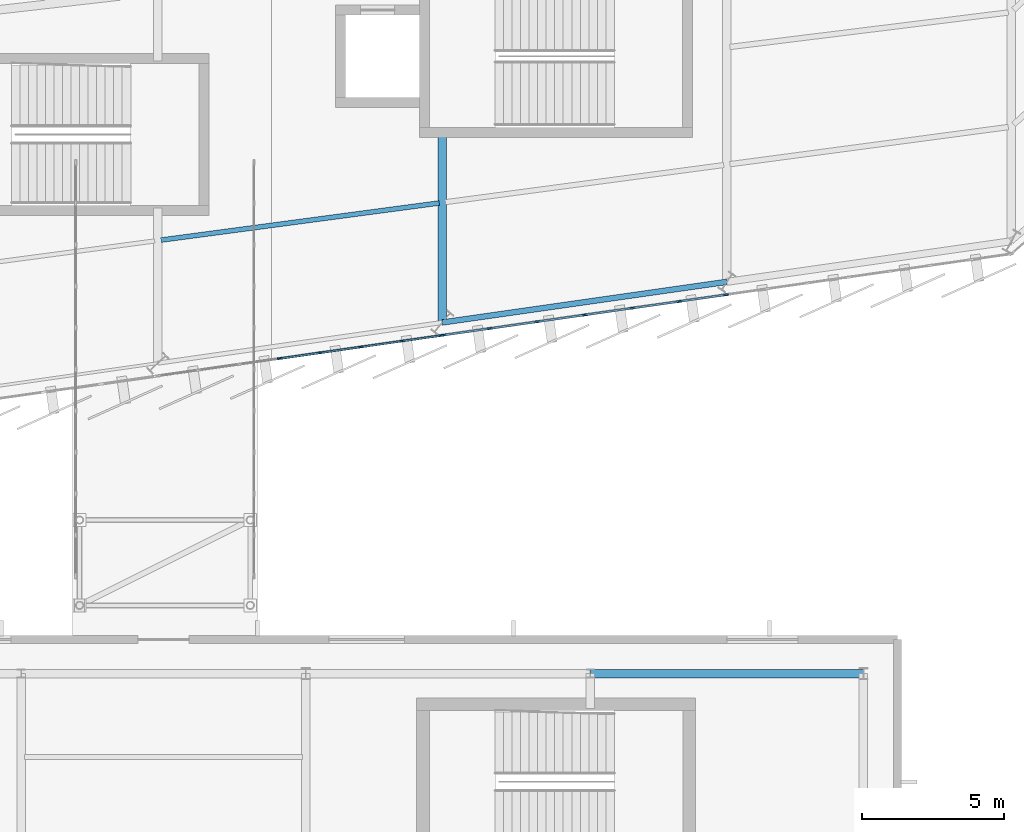
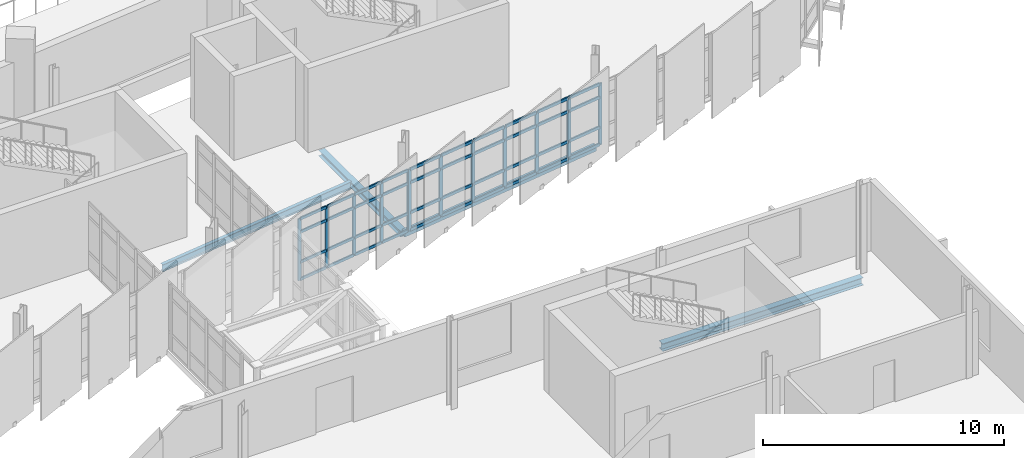
# One storey, part 63 of 125: 52 members, 4 beams, 2 elements without a shape of their own.
"""IFC4 building model written with IfcOpenShell, lengths in metres."""

from ifc_helpers import new_model, si_unit, direction, frame, origin, origin_2d, place, context, subcontext, project, spatial, rectangle, hollow_rectangle, i_section, extrude, material, layer, layer_set, material_profile, profile_set, type_object, element, aggregate, save


model = new_model("IFC4")

# Units and contexts
model_context = context("Model", 3, precision=1e-05, world=origin(), true_north=direction((0.0, 1.0)))
body_context = subcontext(model_context, "Body", "Model", "MODEL_VIEW")
ifc_project = project(units=[si_unit("LENGTHUNIT", "METRE"), si_unit("AREAUNIT", "SQUARE_METRE"), si_unit("VOLUMEUNIT", "CUBIC_METRE"), si_unit("PLANEANGLEUNIT", "RADIAN"), si_unit("MASSUNIT", "GRAM", prefix="KILO")], contexts=[model_context])

# Site, building, storey
site_placement = place(None, origin())
site = spatial("IfcSite", under=ifc_project, at=site_placement, CompositionType="ELEMENT")
building_placement = place(site_placement, origin())
building = spatial("IfcBuilding", under=site, at=building_placement, Name="Sohan Crest Arena", CompositionType="ELEMENT")
storey_placement = place(building_placement, frame((0.0, 0.0, 9.0)))
storey = spatial("IfcBuildingStorey", under=building, at=storey_placement, Name="L02", CompositionType="ELEMENT", Elevation=9.0)

# Curtain wall, members
ifc_material_1 = material(Name="Thermally broken anodised aluminium", Category="aluminium")
ifc_layer_1 = layer(ifc_material_1, 0.18994140625, Name="Thermally broken anodised aluminium")
ifc_layer_set_1 = layer_set([ifc_layer_1], Name="Thermally broken anodised aluminium")
curtain_wall_type_1 = type_object("IfcCurtainWallType", Name="ARC-CW05", PredefinedType="NOTDEFINED", material=ifc_layer_set_1)
curtain_wall_1_placement = place(storey_placement, origin())
curtain_wall_1 = element("IfcCurtainWall", 1, at=curtain_wall_1_placement, inside=storey, type_object=curtain_wall_type_1, Name="Unitised curtain wall CW-064", PredefinedType="NOTDEFINED")
ifc_material_profile_1 = material_profile(ifc_material_1, rectangle(XDim=0.06005859375, YDim=0.159912109375, at=origin_2d()), Name="ALU-MULL 60x160")
ifc_profile_set_1 = profile_set([ifc_material_profile_1], Name="Thermally broken anodised aluminium")
member_type_1 = type_object("IfcMemberType", Name="ARC-CW-ML01", PredefinedType="MULLION", material=ifc_profile_set_1)
member_1_placement = place(storey_placement, frame((142.28564453125, 35.87646484375, 0.0), z_axis=(0.0, 0.0, 1.0), x_axis=(-0.141462933734, 0.989943553128, 0.0)))
member_1 = element("IfcMember", 2, at=member_1_placement, type_object=member_type_1, Name="CW-064 mullion 4", PredefinedType="MULLION", context=body_context, shape_type="SweptSolid", body=[
    extrude(rectangle(XDim=0.06005859375, YDim=0.159912109375, at=origin_2d()), origin(), (0.0, 0.0, 1.0), 3.1201171875),
])
member_2_placement = place(storey_placement, frame((143.71435546875, 36.08056640625, 0.0), z_axis=(0.0, 0.0, 1.0), x_axis=(-0.141462933734, 0.989943553128, 0.0)))
member_2 = element("IfcMember", 3, at=member_2_placement, type_object=member_type_1, Name="CW-064 mullion 5", PredefinedType="MULLION", context=body_context, shape_type="SweptSolid", body=[
    extrude(rectangle(XDim=0.06005859375, YDim=0.159912109375, at=origin_2d()), origin(), (0.0, 0.0, 1.0), 3.1201171875),
])
member_3_placement = place(storey_placement, frame((145.142822265625, 36.28466796875, 0.0), z_axis=(0.0, 0.0, 1.0), x_axis=(-0.141462933734, 0.989943553128, 0.0)))
member_3 = element("IfcMember", 4, at=member_3_placement, type_object=member_type_1, Name="CW-064 mullion 6", PredefinedType="MULLION", context=body_context, shape_type="SweptSolid", body=[
    extrude(rectangle(XDim=0.06005859375, YDim=0.159912109375, at=origin_2d()), origin(), (0.0, 0.0, 1.0), 3.1201171875),
])
member_4_placement = place(storey_placement, frame((146.571533203125, 36.48876953125, 0.0), z_axis=(0.0, 0.0, 1.0), x_axis=(-0.141462933734, 0.989943553128, 0.0)))
member_4 = element("IfcMember", 5, at=member_4_placement, type_object=member_type_1, Name="CW-064 mullion 7", PredefinedType="MULLION", context=body_context, shape_type="SweptSolid", body=[
    extrude(rectangle(XDim=0.06005859375, YDim=0.159912109375, at=origin_2d()), origin(), (0.0, 0.0, 1.0), 3.1201171875),
])
member_5_placement = place(storey_placement, frame((147.97021484375, 36.688720703125, 0.0), z_axis=(0.0, 0.0, 1.0), x_axis=(-0.141462933734, 0.989943553128, 0.0)))
member_5 = element("IfcMember", 6, at=member_5_placement, type_object=member_type_1, Name="CW-064 mullion 8", PredefinedType="MULLION", context=body_context, shape_type="SweptSolid", body=[
    extrude(rectangle(XDim=0.06005859375, YDim=0.159912109375, at=origin_2d()), origin(), (0.0, 0.0, 1.0), 3.1201171875),
])

ifc_layer_2 = layer(ifc_material_1, 0.2099609375, Name="Thermally broken anodised aluminium")
ifc_layer_set_2 = layer_set([ifc_layer_2], Name="Thermally broken anodised aluminium")
curtain_wall_type_2 = type_object("IfcCurtainWallType", Name="ARC-CW06", PredefinedType="NOTDEFINED", material=ifc_layer_set_2)
curtain_wall_2_placement = place(storey_placement, origin())
curtain_wall_2 = element("IfcCurtainWall", 7, at=curtain_wall_2_placement, inside=storey, type_object=curtain_wall_type_2, Name="Unitised curtain wall CW-065", PredefinedType="NOTDEFINED")
ifc_material_profile_2 = material_profile(ifc_material_1, rectangle(XDim=0.06494140625, YDim=0.179931640625, at=origin_2d()), Name="ALU-MULL 65x180")
ifc_profile_set_2 = profile_set([ifc_material_profile_2], Name="Thermally broken anodised aluminium")
member_type_2 = type_object("IfcMemberType", Name="ARC-CW-ML02", PredefinedType="MULLION", material=ifc_profile_set_2)
member_6_placement = place(storey_placement, frame((148.0322265625, 36.697509765625, 0.0), z_axis=(0.0, 0.0, 1.0), x_axis=(-0.141365918403, 0.989957411768, 0.0)))
member_6 = element("IfcMember", 8, at=member_6_placement, type_object=member_type_2, Name="CW-065 mullion 1", PredefinedType="MULLION", context=body_context, shape_type="SweptSolid", body=[
    extrude(rectangle(XDim=0.06494140625, YDim=0.179931640625, at=origin_2d()), origin(), (0.0, 0.0, 1.0), 3.1201171875),
])
member_7_placement = place(storey_placement, frame((149.666748046875, 36.930908203125, 0.0), z_axis=(0.0, 0.0, 1.0), x_axis=(-0.141365918403, 0.989957411768, 0.0)))
member_7 = element("IfcMember", 9, at=member_7_placement, type_object=member_type_2, Name="CW-065 mullion 2", PredefinedType="MULLION", context=body_context, shape_type="SweptSolid", body=[
    extrude(rectangle(XDim=0.06494140625, YDim=0.179931640625, at=origin_2d()), origin(), (0.0, 0.0, 1.0), 3.1201171875),
])
member_8_placement = place(storey_placement, frame((151.333251953125, 37.1689453125, 0.0), z_axis=(0.0, 0.0, 1.0), x_axis=(-0.141365918403, 0.989957411768, 0.0)))
member_8 = element("IfcMember", 10, at=member_8_placement, type_object=member_type_2, Name="CW-065 mullion 3", PredefinedType="MULLION", context=body_context, shape_type="SweptSolid", body=[
    extrude(rectangle(XDim=0.06494140625, YDim=0.179931640625, at=origin_2d()), origin(), (0.0, 0.0, 1.0), 3.1201171875),
])
member_9_placement = place(storey_placement, frame((153.0, 37.406982421875, 0.0), z_axis=(0.0, 0.0, 1.0), x_axis=(-0.141365918403, 0.989957411768, 0.0)))
member_9 = element("IfcMember", 11, at=member_9_placement, type_object=member_type_2, Name="CW-065 mullion 4", PredefinedType="MULLION", context=body_context, shape_type="SweptSolid", body=[
    extrude(rectangle(XDim=0.06494140625, YDim=0.179931640625, at=origin_2d()), origin(), (0.0, 0.0, 1.0), 3.1201171875),
])
member_10_placement = place(storey_placement, frame((154.666748046875, 37.64501953125, 0.0), z_axis=(0.0, 0.0, 1.0), x_axis=(-0.141365918403, 0.989957411768, 0.0)))
member_10 = element("IfcMember", 12, at=member_10_placement, type_object=member_type_2, Name="CW-065 mullion 5", PredefinedType="MULLION", context=body_context, shape_type="SweptSolid", body=[
    extrude(rectangle(XDim=0.06494140625, YDim=0.179931640625, at=origin_2d()), origin(), (0.0, 0.0, 1.0), 3.1201171875),
])
member_11_placement = place(storey_placement, frame((156.333251953125, 37.883056640625, 0.0), z_axis=(0.0, 0.0, 1.0), x_axis=(-0.141365918403, 0.989957411768, 0.0)))
member_11 = element("IfcMember", 13, at=member_11_placement, type_object=member_type_2, Name="CW-065 mullion 6", PredefinedType="MULLION", context=body_context, shape_type="SweptSolid", body=[
    extrude(rectangle(XDim=0.06494140625, YDim=0.179931640625, at=origin_2d()), origin(), (0.0, 0.0, 1.0), 3.1201171875),
])
member_12_placement = place(storey_placement, frame((157.9677734375, 38.116455078125, 0.0), z_axis=(0.0, 0.0, 1.0), x_axis=(-0.141365918403, 0.989957411768, 0.0)))
member_12 = element("IfcMember", 14, at=member_12_placement, type_object=member_type_2, Name="CW-065 mullion 7", PredefinedType="MULLION", context=body_context, shape_type="SweptSolid", body=[
    extrude(rectangle(XDim=0.06494140625, YDim=0.179931640625, at=origin_2d()), origin(), (0.0, 0.0, 1.0), 3.1201171875),
])

# Member
ifc_material_profile_3 = material_profile(ifc_material_1, rectangle(XDim=0.06494140625, YDim=0.139892578125, at=origin_2d()), Name="ALU-TRAN 65x140")
ifc_profile_set_3 = profile_set([ifc_material_profile_3], Name="Thermally broken anodised aluminium")
member_type_3 = type_object("IfcMemberType", Name="ARC-CW-TR02", PredefinedType="USERDEFINED", material=ifc_profile_set_3)
member_13_placement = place(storey_placement, frame((142.3154296875, 35.880615234375, 0.032470703125), z_axis=(0.989928300068, 0.141569632071, 0.0), x_axis=(-0.141569632071, 0.989928300068, 0.0)))
member_13 = element("IfcMember", 15, at=member_13_placement, type_object=member_type_3, Name="CW-064 transom 4.1", ObjectType="TRANSOM", PredefinedType="USERDEFINED", context=body_context, shape_type="SweptSolid", body=[
    extrude(rectangle(XDim=0.06494140625, YDim=0.139892578125, at=origin_2d()), origin(), (0.0, 0.0, 1.0), 1.383056640625),
])

member_14_placement = place(storey_placement, frame((142.3154296875, 35.880615234375, 0.89990234375), z_axis=(0.989928300068, 0.141569632071, 0.0), x_axis=(-0.141569632071, 0.989928300068, 0.0)))
member_14 = element("IfcMember", 16, at=member_14_placement, type_object=member_type_3, Name="CW-064 transom 4.2", ObjectType="TRANSOM", PredefinedType="USERDEFINED", context=body_context, shape_type="SweptSolid", body=[
    extrude(rectangle(XDim=0.06494140625, YDim=0.139892578125, at=origin_2d()), origin(), (0.0, 0.0, 1.0), 1.383056640625),
])

member_15_placement = place(storey_placement, frame((142.3154296875, 35.880615234375, 2.419921875), z_axis=(0.989928300068, 0.141569632071, 0.0), x_axis=(-0.141569632071, 0.989928300068, 0.0)))
member_15 = element("IfcMember", 17, at=member_15_placement, type_object=member_type_3, Name="CW-064 transom 4.3", ObjectType="TRANSOM", PredefinedType="USERDEFINED", context=body_context, shape_type="SweptSolid", body=[
    extrude(rectangle(XDim=0.06494140625, YDim=0.139892578125, at=origin_2d()), origin(), (0.0, 0.0, 1.0), 1.383056640625),
])

member_16_placement = place(storey_placement, frame((142.3154296875, 35.880615234375, 3.08740234375), z_axis=(0.989928300068, 0.141569632071, 0.0), x_axis=(-0.141569632071, 0.989928300068, 0.0)))
member_16 = element("IfcMember", 18, at=member_16_placement, type_object=member_type_3, Name="CW-064 transom 4.4", ObjectType="TRANSOM", PredefinedType="USERDEFINED", context=body_context, shape_type="SweptSolid", body=[
    extrude(rectangle(XDim=0.06494140625, YDim=0.139892578125, at=origin_2d()), origin(), (0.0, 0.0, 1.0), 1.383056640625),
])

member_17_placement = place(storey_placement, frame((143.743896484375, 36.084716796875, 0.032470703125), z_axis=(0.989928300068, 0.141569632071, 0.0), x_axis=(-0.141569632071, 0.989928300068, 0.0)))
member_17 = element("IfcMember", 19, at=member_17_placement, type_object=member_type_3, Name="CW-064 transom 5.1", ObjectType="TRANSOM", PredefinedType="USERDEFINED", context=body_context, shape_type="SweptSolid", body=[
    extrude(rectangle(XDim=0.06494140625, YDim=0.139892578125, at=origin_2d()), origin(), (0.0, 0.0, 1.0), 1.383056640625),
])

member_18_placement = place(storey_placement, frame((143.743896484375, 36.084716796875, 0.89990234375), z_axis=(0.989928300068, 0.141569632071, 0.0), x_axis=(-0.141569632071, 0.989928300068, 0.0)))
member_18 = element("IfcMember", 20, at=member_18_placement, type_object=member_type_3, Name="CW-064 transom 5.2", ObjectType="TRANSOM", PredefinedType="USERDEFINED", context=body_context, shape_type="SweptSolid", body=[
    extrude(rectangle(XDim=0.06494140625, YDim=0.139892578125, at=origin_2d()), origin(), (0.0, 0.0, 1.0), 1.383056640625),
])

member_19_placement = place(storey_placement, frame((143.743896484375, 36.084716796875, 2.419921875), z_axis=(0.989928300068, 0.141569632071, 0.0), x_axis=(-0.141569632071, 0.989928300068, 0.0)))
member_19 = element("IfcMember", 21, at=member_19_placement, type_object=member_type_3, Name="CW-064 transom 5.3", ObjectType="TRANSOM", PredefinedType="USERDEFINED", context=body_context, shape_type="SweptSolid", body=[
    extrude(rectangle(XDim=0.06494140625, YDim=0.139892578125, at=origin_2d()), origin(), (0.0, 0.0, 1.0), 1.383056640625),
])

member_20_placement = place(storey_placement, frame((143.743896484375, 36.084716796875, 3.08740234375), z_axis=(0.989928300068, 0.141569632071, 0.0), x_axis=(-0.141569632071, 0.989928300068, 0.0)))
member_20 = element("IfcMember", 22, at=member_20_placement, type_object=member_type_3, Name="CW-064 transom 5.4", ObjectType="TRANSOM", PredefinedType="USERDEFINED", context=body_context, shape_type="SweptSolid", body=[
    extrude(rectangle(XDim=0.06494140625, YDim=0.139892578125, at=origin_2d()), origin(), (0.0, 0.0, 1.0), 1.383056640625),
])

member_21_placement = place(storey_placement, frame((145.172607421875, 36.2890625, 0.032470703125), z_axis=(0.989953023856, 0.141396642673, 0.0), x_axis=(-0.141396642673, 0.989953023856, 0.0)))
member_21 = element("IfcMember", 23, at=member_21_placement, type_object=member_type_3, Name="CW-064 transom 6.1", ObjectType="TRANSOM", PredefinedType="USERDEFINED", context=body_context, shape_type="SweptSolid", body=[
    extrude(rectangle(XDim=0.06494140625, YDim=0.139892578125, at=origin_2d()), origin(), (0.0, 0.0, 1.0), 1.383056640625),
])

member_22_placement = place(storey_placement, frame((145.172607421875, 36.2890625, 0.89990234375), z_axis=(0.989953023856, 0.141396642673, 0.0), x_axis=(-0.141396642673, 0.989953023856, 0.0)))
member_22 = element("IfcMember", 24, at=member_22_placement, type_object=member_type_3, Name="CW-064 transom 6.2", ObjectType="TRANSOM", PredefinedType="USERDEFINED", context=body_context, shape_type="SweptSolid", body=[
    extrude(rectangle(XDim=0.06494140625, YDim=0.139892578125, at=origin_2d()), origin(), (0.0, 0.0, 1.0), 1.383056640625),
])

member_23_placement = place(storey_placement, frame((145.172607421875, 36.2890625, 2.419921875), z_axis=(0.989953023856, 0.141396642673, 0.0), x_axis=(-0.141396642673, 0.989953023856, 0.0)))
member_23 = element("IfcMember", 25, at=member_23_placement, type_object=member_type_3, Name="CW-064 transom 6.3", ObjectType="TRANSOM", PredefinedType="USERDEFINED", context=body_context, shape_type="SweptSolid", body=[
    extrude(rectangle(XDim=0.06494140625, YDim=0.139892578125, at=origin_2d()), origin(), (0.0, 0.0, 1.0), 1.383056640625),
])

member_24_placement = place(storey_placement, frame((145.172607421875, 36.2890625, 3.08740234375), z_axis=(0.989953023856, 0.141396642673, 0.0), x_axis=(-0.141396642673, 0.989953023856, 0.0)))
member_24 = element("IfcMember", 26, at=member_24_placement, type_object=member_type_3, Name="CW-064 transom 6.4", ObjectType="TRANSOM", PredefinedType="USERDEFINED", context=body_context, shape_type="SweptSolid", body=[
    extrude(rectangle(XDim=0.06494140625, YDim=0.139892578125, at=origin_2d()), origin(), (0.0, 0.0, 1.0), 1.383056640625),
])

member_25_placement = place(storey_placement, frame((146.60107421875, 36.4931640625, 0.032470703125), z_axis=(0.989945885007, 0.141446614515, 0.0), x_axis=(-0.141446614515, 0.989945885007, 0.0)))
member_25 = element("IfcMember", 27, at=member_25_placement, type_object=member_type_3, Name="CW-064 transom 7.1", ObjectType="TRANSOM", PredefinedType="USERDEFINED", context=body_context, shape_type="SweptSolid", body=[
    extrude(rectangle(XDim=0.06494140625, YDim=0.139892578125, at=origin_2d()), origin(), (0.0, 0.0, 1.0), 1.353271484375),
])

member_26_placement = place(storey_placement, frame((146.60107421875, 36.4931640625, 0.89990234375), z_axis=(0.989945885007, 0.141446614515, 0.0), x_axis=(-0.141446614515, 0.989945885007, 0.0)))
member_26 = element("IfcMember", 28, at=member_26_placement, type_object=member_type_3, Name="CW-064 transom 7.2", ObjectType="TRANSOM", PredefinedType="USERDEFINED", context=body_context, shape_type="SweptSolid", body=[
    extrude(rectangle(XDim=0.06494140625, YDim=0.139892578125, at=origin_2d()), origin(), (0.0, 0.0, 1.0), 1.353271484375),
])

member_27_placement = place(storey_placement, frame((146.60107421875, 36.4931640625, 2.419921875), z_axis=(0.989945885007, 0.141446614515, 0.0), x_axis=(-0.141446614515, 0.989945885007, 0.0)))
member_27 = element("IfcMember", 29, at=member_27_placement, type_object=member_type_3, Name="CW-064 transom 7.3", ObjectType="TRANSOM", PredefinedType="USERDEFINED", context=body_context, shape_type="SweptSolid", body=[
    extrude(rectangle(XDim=0.06494140625, YDim=0.139892578125, at=origin_2d()), origin(), (0.0, 0.0, 1.0), 1.353271484375),
])

member_28_placement = place(storey_placement, frame((146.60107421875, 36.4931640625, 3.08740234375), z_axis=(0.989945885007, 0.141446614515, 0.0), x_axis=(-0.141446614515, 0.989945885007, 0.0)))
member_28 = element("IfcMember", 30, at=member_28_placement, type_object=member_type_3, Name="CW-064 transom 7.4", ObjectType="TRANSOM", PredefinedType="USERDEFINED", context=body_context, shape_type="SweptSolid", body=[
    extrude(rectangle(XDim=0.06494140625, YDim=0.139892578125, at=origin_2d()), origin(), (0.0, 0.0, 1.0), 1.353271484375),
])

aggregate(curtain_wall_1, [member_1, member_2, member_3, member_4, member_5, member_13, member_14, member_15, member_16, member_17, member_18, member_19, member_20, member_21, member_22, member_23, member_24, member_25, member_26, member_27, member_28])

ifc_material_profile_4 = material_profile(ifc_material_1, rectangle(XDim=0.070068359375, YDim=0.14990234375, at=origin_2d()), Name="ALU-TRAN 70x150")
ifc_profile_set_4 = profile_set([ifc_material_profile_4], Name="Thermally broken anodised aluminium")
member_type_4 = type_object("IfcMemberType", Name="ARC-CW-TR03", PredefinedType="USERDEFINED", material=ifc_profile_set_4)
member_29_placement = place(storey_placement, frame((148.064453125, 36.7021484375, 0.034912109375), z_axis=(0.989943335402, 0.141464457353, 0.0), x_axis=(-0.141464457353, 0.989943335402, 0.0)))
member_29 = element("IfcMember", 31, at=member_29_placement, type_object=member_type_4, Name="CW-065 transom 1.1", ObjectType="TRANSOM", PredefinedType="USERDEFINED", context=body_context, shape_type="SweptSolid", body=[
    extrude(rectangle(XDim=0.070068359375, YDim=0.14990234375, at=origin_2d()), origin(), (0.0, 0.0, 1.0), 1.5859375),
])

member_30_placement = place(storey_placement, frame((148.064453125, 36.7021484375, 0.89990234375), z_axis=(0.989943335402, 0.141464457353, 0.0), x_axis=(-0.141464457353, 0.989943335402, 0.0)))
member_30 = element("IfcMember", 32, at=member_30_placement, type_object=member_type_4, Name="CW-065 transom 1.2", ObjectType="TRANSOM", PredefinedType="USERDEFINED", context=body_context, shape_type="SweptSolid", body=[
    extrude(rectangle(XDim=0.070068359375, YDim=0.14990234375, at=origin_2d()), origin(), (0.0, 0.0, 1.0), 1.5859375),
])

member_31_placement = place(storey_placement, frame((148.064453125, 36.7021484375, 2.419921875), z_axis=(0.989943335402, 0.141464457353, 0.0), x_axis=(-0.141464457353, 0.989943335402, 0.0)))
member_31 = element("IfcMember", 33, at=member_31_placement, type_object=member_type_4, Name="CW-065 transom 1.3", ObjectType="TRANSOM", PredefinedType="USERDEFINED", context=body_context, shape_type="SweptSolid", body=[
    extrude(rectangle(XDim=0.070068359375, YDim=0.14990234375, at=origin_2d()), origin(), (0.0, 0.0, 1.0), 1.5859375),
])

member_32_placement = place(storey_placement, frame((148.064453125, 36.7021484375, 3.0849609375), z_axis=(0.989943335402, 0.141464457353, 0.0), x_axis=(-0.141464457353, 0.989943335402, 0.0)))
member_32 = element("IfcMember", 34, at=member_32_placement, type_object=member_type_4, Name="CW-065 transom 1.4", ObjectType="TRANSOM", PredefinedType="USERDEFINED", context=body_context, shape_type="SweptSolid", body=[
    extrude(rectangle(XDim=0.070068359375, YDim=0.14990234375, at=origin_2d()), origin(), (0.0, 0.0, 1.0), 1.5859375),
])

member_33_placement = place(storey_placement, frame((149.69873046875, 36.935546875, 0.034912109375), z_axis=(0.989964569759, 0.141315783343, 0.0), x_axis=(-0.141315783343, 0.989964569759, 0.0)))
member_33 = element("IfcMember", 35, at=member_33_placement, type_object=member_type_4, Name="CW-065 transom 2.1", ObjectType="TRANSOM", PredefinedType="USERDEFINED", context=body_context, shape_type="SweptSolid", body=[
    extrude(rectangle(XDim=0.070068359375, YDim=0.14990234375, at=origin_2d()), origin(), (0.0, 0.0, 1.0), 1.618896484375),
])

member_34_placement = place(storey_placement, frame((149.69873046875, 36.935546875, 0.89990234375), z_axis=(0.989964569759, 0.141315783343, 0.0), x_axis=(-0.141315783343, 0.989964569759, 0.0)))
member_34 = element("IfcMember", 36, at=member_34_placement, type_object=member_type_4, Name="CW-065 transom 2.2", ObjectType="TRANSOM", PredefinedType="USERDEFINED", context=body_context, shape_type="SweptSolid", body=[
    extrude(rectangle(XDim=0.070068359375, YDim=0.14990234375, at=origin_2d()), origin(), (0.0, 0.0, 1.0), 1.618896484375),
])

member_35_placement = place(storey_placement, frame((149.69873046875, 36.935546875, 2.419921875), z_axis=(0.989964569759, 0.141315783343, 0.0), x_axis=(-0.141315783343, 0.989964569759, 0.0)))
member_35 = element("IfcMember", 37, at=member_35_placement, type_object=member_type_4, Name="CW-065 transom 2.3", ObjectType="TRANSOM", PredefinedType="USERDEFINED", context=body_context, shape_type="SweptSolid", body=[
    extrude(rectangle(XDim=0.070068359375, YDim=0.14990234375, at=origin_2d()), origin(), (0.0, 0.0, 1.0), 1.618896484375),
])

member_36_placement = place(storey_placement, frame((149.69873046875, 36.935546875, 3.0849609375), z_axis=(0.989964569759, 0.141315783343, 0.0), x_axis=(-0.141315783343, 0.989964569759, 0.0)))
member_36 = element("IfcMember", 38, at=member_36_placement, type_object=member_type_4, Name="CW-065 transom 2.4", ObjectType="TRANSOM", PredefinedType="USERDEFINED", context=body_context, shape_type="SweptSolid", body=[
    extrude(rectangle(XDim=0.070068359375, YDim=0.14990234375, at=origin_2d()), origin(), (0.0, 0.0, 1.0), 1.618896484375),
])

member_37_placement = place(storey_placement, frame((151.365478515625, 37.173583984375, 0.034912109375), z_axis=(0.989961557241, 0.141336885439, 0.0), x_axis=(-0.141336885439, 0.989961557241, 0.0)))
member_37 = element("IfcMember", 39, at=member_37_placement, type_object=member_type_4, Name="CW-065 transom 3.1", ObjectType="TRANSOM", PredefinedType="USERDEFINED", context=body_context, shape_type="SweptSolid", body=[
    extrude(rectangle(XDim=0.070068359375, YDim=0.14990234375, at=origin_2d()), origin(), (0.0, 0.0, 1.0), 1.61865234375),
])

member_38_placement = place(storey_placement, frame((151.365478515625, 37.173583984375, 0.89990234375), z_axis=(0.989961557241, 0.141336885439, 0.0), x_axis=(-0.141336885439, 0.989961557241, 0.0)))
member_38 = element("IfcMember", 40, at=member_38_placement, type_object=member_type_4, Name="CW-065 transom 3.2", ObjectType="TRANSOM", PredefinedType="USERDEFINED", context=body_context, shape_type="SweptSolid", body=[
    extrude(rectangle(XDim=0.070068359375, YDim=0.14990234375, at=origin_2d()), origin(), (0.0, 0.0, 1.0), 1.61865234375),
])

member_39_placement = place(storey_placement, frame((151.365478515625, 37.173583984375, 2.419921875), z_axis=(0.989961557241, 0.141336885439, 0.0), x_axis=(-0.141336885439, 0.989961557241, 0.0)))
member_39 = element("IfcMember", 41, at=member_39_placement, type_object=member_type_4, Name="CW-065 transom 3.3", ObjectType="TRANSOM", PredefinedType="USERDEFINED", context=body_context, shape_type="SweptSolid", body=[
    extrude(rectangle(XDim=0.070068359375, YDim=0.14990234375, at=origin_2d()), origin(), (0.0, 0.0, 1.0), 1.61865234375),
])

member_40_placement = place(storey_placement, frame((151.365478515625, 37.173583984375, 3.0849609375), z_axis=(0.989961557241, 0.141336885439, 0.0), x_axis=(-0.141336885439, 0.989961557241, 0.0)))
member_40 = element("IfcMember", 42, at=member_40_placement, type_object=member_type_4, Name="CW-065 transom 3.4", ObjectType="TRANSOM", PredefinedType="USERDEFINED", context=body_context, shape_type="SweptSolid", body=[
    extrude(rectangle(XDim=0.070068359375, YDim=0.14990234375, at=origin_2d()), origin(), (0.0, 0.0, 1.0), 1.61865234375),
])

member_41_placement = place(storey_placement, frame((153.0322265625, 37.41162109375, 0.034912109375), z_axis=(0.989961557241, 0.141336885439, 0.0), x_axis=(-0.141336885439, 0.989961557241, 0.0)))
member_41 = element("IfcMember", 43, at=member_41_placement, type_object=member_type_4, Name="CW-065 transom 4.1", ObjectType="TRANSOM", PredefinedType="USERDEFINED", context=body_context, shape_type="SweptSolid", body=[
    extrude(rectangle(XDim=0.070068359375, YDim=0.14990234375, at=origin_2d()), origin(), (0.0, 0.0, 1.0), 1.61865234375),
])

member_42_placement = place(storey_placement, frame((153.0322265625, 37.41162109375, 0.89990234375), z_axis=(0.989961557241, 0.141336885439, 0.0), x_axis=(-0.141336885439, 0.989961557241, 0.0)))
member_42 = element("IfcMember", 44, at=member_42_placement, type_object=member_type_4, Name="CW-065 transom 4.2", ObjectType="TRANSOM", PredefinedType="USERDEFINED", context=body_context, shape_type="SweptSolid", body=[
    extrude(rectangle(XDim=0.070068359375, YDim=0.14990234375, at=origin_2d()), origin(), (0.0, 0.0, 1.0), 1.61865234375),
])

member_43_placement = place(storey_placement, frame((153.0322265625, 37.41162109375, 2.419921875), z_axis=(0.989961557241, 0.141336885439, 0.0), x_axis=(-0.141336885439, 0.989961557241, 0.0)))
member_43 = element("IfcMember", 45, at=member_43_placement, type_object=member_type_4, Name="CW-065 transom 4.3", ObjectType="TRANSOM", PredefinedType="USERDEFINED", context=body_context, shape_type="SweptSolid", body=[
    extrude(rectangle(XDim=0.070068359375, YDim=0.14990234375, at=origin_2d()), origin(), (0.0, 0.0, 1.0), 1.61865234375),
])

member_44_placement = place(storey_placement, frame((153.0322265625, 37.41162109375, 3.0849609375), z_axis=(0.989961557241, 0.141336885439, 0.0), x_axis=(-0.141336885439, 0.989961557241, 0.0)))
member_44 = element("IfcMember", 46, at=member_44_placement, type_object=member_type_4, Name="CW-065 transom 4.4", ObjectType="TRANSOM", PredefinedType="USERDEFINED", context=body_context, shape_type="SweptSolid", body=[
    extrude(rectangle(XDim=0.070068359375, YDim=0.14990234375, at=origin_2d()), origin(), (0.0, 0.0, 1.0), 1.61865234375),
])

member_45_placement = place(storey_placement, frame((154.69873046875, 37.649658203125, 0.034912109375), z_axis=(0.989964569759, 0.141315783343, 0.0), x_axis=(-0.141315783343, 0.989964569759, 0.0)))
member_45 = element("IfcMember", 47, at=member_45_placement, type_object=member_type_4, Name="CW-065 transom 5.1", ObjectType="TRANSOM", PredefinedType="USERDEFINED", context=body_context, shape_type="SweptSolid", body=[
    extrude(rectangle(XDim=0.070068359375, YDim=0.14990234375, at=origin_2d()), origin(), (0.0, 0.0, 1.0), 1.618896484375),
])

member_46_placement = place(storey_placement, frame((154.69873046875, 37.649658203125, 0.89990234375), z_axis=(0.989964569759, 0.141315783343, 0.0), x_axis=(-0.141315783343, 0.989964569759, 0.0)))
member_46 = element("IfcMember", 48, at=member_46_placement, type_object=member_type_4, Name="CW-065 transom 5.2", ObjectType="TRANSOM", PredefinedType="USERDEFINED", context=body_context, shape_type="SweptSolid", body=[
    extrude(rectangle(XDim=0.070068359375, YDim=0.14990234375, at=origin_2d()), origin(), (0.0, 0.0, 1.0), 1.618896484375),
])

member_47_placement = place(storey_placement, frame((154.69873046875, 37.649658203125, 2.419921875), z_axis=(0.989964569759, 0.141315783343, 0.0), x_axis=(-0.141315783343, 0.989964569759, 0.0)))
member_47 = element("IfcMember", 49, at=member_47_placement, type_object=member_type_4, Name="CW-065 transom 5.3", ObjectType="TRANSOM", PredefinedType="USERDEFINED", context=body_context, shape_type="SweptSolid", body=[
    extrude(rectangle(XDim=0.070068359375, YDim=0.14990234375, at=origin_2d()), origin(), (0.0, 0.0, 1.0), 1.618896484375),
])

member_48_placement = place(storey_placement, frame((154.69873046875, 37.649658203125, 3.0849609375), z_axis=(0.989964569759, 0.141315783343, 0.0), x_axis=(-0.141315783343, 0.989964569759, 0.0)))
member_48 = element("IfcMember", 50, at=member_48_placement, type_object=member_type_4, Name="CW-065 transom 5.4", ObjectType="TRANSOM", PredefinedType="USERDEFINED", context=body_context, shape_type="SweptSolid", body=[
    extrude(rectangle(XDim=0.070068359375, YDim=0.14990234375, at=origin_2d()), origin(), (0.0, 0.0, 1.0), 1.618896484375),
])

member_49_placement = place(storey_placement, frame((156.365478515625, 37.8876953125, 0.034912109375), z_axis=(0.989964881435, 0.141313599931, 0.0), x_axis=(-0.141313599931, 0.989964881435, 0.0)))
member_49 = element("IfcMember", 51, at=member_49_placement, type_object=member_type_4, Name="CW-065 transom 6.1", ObjectType="TRANSOM", PredefinedType="USERDEFINED", context=body_context, shape_type="SweptSolid", body=[
    extrude(rectangle(XDim=0.070068359375, YDim=0.14990234375, at=origin_2d()), origin(), (0.0, 0.0, 1.0), 1.5859375),
])

member_50_placement = place(storey_placement, frame((156.365478515625, 37.8876953125, 0.89990234375), z_axis=(0.989964881435, 0.141313599931, 0.0), x_axis=(-0.141313599931, 0.989964881435, 0.0)))
member_50 = element("IfcMember", 52, at=member_50_placement, type_object=member_type_4, Name="CW-065 transom 6.2", ObjectType="TRANSOM", PredefinedType="USERDEFINED", context=body_context, shape_type="SweptSolid", body=[
    extrude(rectangle(XDim=0.070068359375, YDim=0.14990234375, at=origin_2d()), origin(), (0.0, 0.0, 1.0), 1.5859375),
])

member_51_placement = place(storey_placement, frame((156.365478515625, 37.8876953125, 2.419921875), z_axis=(0.989964881435, 0.141313599931, 0.0), x_axis=(-0.141313599931, 0.989964881435, 0.0)))
member_51 = element("IfcMember", 53, at=member_51_placement, type_object=member_type_4, Name="CW-065 transom 6.3", ObjectType="TRANSOM", PredefinedType="USERDEFINED", context=body_context, shape_type="SweptSolid", body=[
    extrude(rectangle(XDim=0.070068359375, YDim=0.14990234375, at=origin_2d()), origin(), (0.0, 0.0, 1.0), 1.5859375),
])

member_52_placement = place(storey_placement, frame((156.365478515625, 37.8876953125, 3.0849609375), z_axis=(0.989964881435, 0.141313599931, 0.0), x_axis=(-0.141313599931, 0.989964881435, 0.0)))
member_52 = element("IfcMember", 54, at=member_52_placement, type_object=member_type_4, Name="CW-065 transom 6.4", ObjectType="TRANSOM", PredefinedType="USERDEFINED", context=body_context, shape_type="SweptSolid", body=[
    extrude(rectangle(XDim=0.070068359375, YDim=0.14990234375, at=origin_2d()), origin(), (0.0, 0.0, 1.0), 1.5859375),
])

aggregate(curtain_wall_2, [member_6, member_7, member_8, member_9, member_10, member_11, member_12, member_29, member_30, member_31, member_32, member_33, member_34, member_35, member_36, member_37, member_38, member_39, member_40, member_41, member_42, member_43, member_44, member_45, member_46, member_47, member_48, member_49, member_50, member_51, member_52])

# Beams
ifc_material_2 = material(Name="Steel S355", Category="steel")
ifc_material_profile_5 = material_profile(ifc_material_2, i_section(OverallWidth=0.169921875, OverallDepth=0.360107421875, WebThickness=0.008056640625, FlangeThickness=0.0126953125, at=origin_2d()), Name="IPE 360")
ifc_profile_set_5 = profile_set([ifc_material_profile_5], Name="Steel S355")
beam_type_1 = type_object("IfcBeamType", Name="STR-BM-B02", PredefinedType="JOIST", material=ifc_profile_set_5)
beam_1_placement = place(storey_placement, frame((138.10888671875, 40.0380859375, -0.429931640625), z_axis=(0.991232437337, 0.132129690721, 0.0), x_axis=(-0.132129690721, 0.991232437337, 0.0)))
element("IfcBeam", 55, at=beam_1_placement, inside=storey, type_object=beam_type_1, Name="Structural beam J-L02-1315", PredefinedType="JOIST", context=body_context, shape_type="SweptSolid", body=[
    extrude(i_section(OverallWidth=0.169921875, OverallDepth=0.360107421875, WebThickness=0.008056640625, FlangeThickness=0.0126953125, at=origin_2d()), origin(), (0.0, 0.0, 1.0), 9.86865234375),
])
ifc_material_profile_6 = material_profile(ifc_material_2, i_section(OverallWidth=0.300048828125, OverallDepth=0.389892578125, WebThickness=0.010986328125, FlangeThickness=0.01904296875, at=origin_2d()), Name="HEA 400")
ifc_profile_set_6 = profile_set([ifc_material_profile_6], Name="Steel S355")
beam_type_2 = type_object("IfcBeamType", Name="STR-BM-B09", PredefinedType="BEAM", material=ifc_profile_set_6)
beam_2_placement = place(storey_placement, frame((153.199951171875, 24.800048828125, -0.445068359375), z_axis=(1.0, 0.0, 0.0), x_axis=(0.0, 1.0, 0.0)))
element("IfcBeam", 56, at=beam_2_placement, inside=storey, type_object=beam_type_2, Name="Structural beam G-L02-2698", PredefinedType="BEAM", context=body_context, shape_type="SweptSolid", body=[
    extrude(i_section(OverallWidth=0.300048828125, OverallDepth=0.389892578125, WebThickness=0.010986328125, FlangeThickness=0.01904296875, at=origin_2d()), origin(), (0.0, 0.0, 1.0), 9.60009765625),
])
ifc_material_profile_7 = material_profile(ifc_material_2, i_section(OverallWidth=0.300048828125, OverallDepth=0.300048828125, WebThickness=0.010986328125, FlangeThickness=0.01904296875, at=origin_2d()), Name="HEB 300")
ifc_profile_set_7 = profile_set([ifc_material_profile_7], Name="Steel S355")
beam_type_3 = type_object("IfcBeamType", Name="STR-BM-B12", PredefinedType="BEAM", material=ifc_profile_set_7)
beam_3_placement = place(storey_placement, frame((148.0, 43.919921875, -0.39990234375), z_axis=(0.0, -1.0, 0.0), x_axis=(1.0, 0.0, 0.0)))
element("IfcBeam", 57, at=beam_3_placement, inside=storey, type_object=beam_type_3, Name="Structural beam G-L02-1317", PredefinedType="BEAM", context=body_context, shape_type="SweptSolid", body=[
    extrude(i_section(OverallWidth=0.300048828125, OverallDepth=0.300048828125, WebThickness=0.010986328125, FlangeThickness=0.01904296875, at=origin_2d()), origin(), (0.0, 0.0, 1.0), 6.77685546875),
])
ifc_material_profile_8 = material_profile(ifc_material_2, hollow_rectangle(XDim=0.199951171875, YDim=0.300048828125, WallThickness=0.010009765625, at=origin_2d()), Name="RHS 300x200x10")
ifc_profile_set_8 = profile_set([ifc_material_profile_8], Name="Steel S355")
beam_type_4 = type_object("IfcBeamType", Name="STR-BM-SP03", PredefinedType="SPANDREL", material=ifc_profile_set_8)
beam_4_placement = place(storey_placement, frame((148.0, 37.14306640625, -0.39990234375), z_axis=(0.989957709412, 0.141363834042, 0.0), x_axis=(-0.141363834042, 0.989957709412, 0.0)))
element("IfcBeam", 58, at=beam_4_placement, inside=storey, type_object=beam_type_4, Name="Structural beam SP-L02-1319", PredefinedType="SPANDREL", context=body_context, shape_type="SweptSolid", body=[
    extrude(hollow_rectangle(XDim=0.199951171875, YDim=0.300048828125, WallThickness=0.010009765625, at=origin_2d()), origin(), (0.0, 0.0, 1.0), 10.1015625),
])

save(model, "model.ifc")
